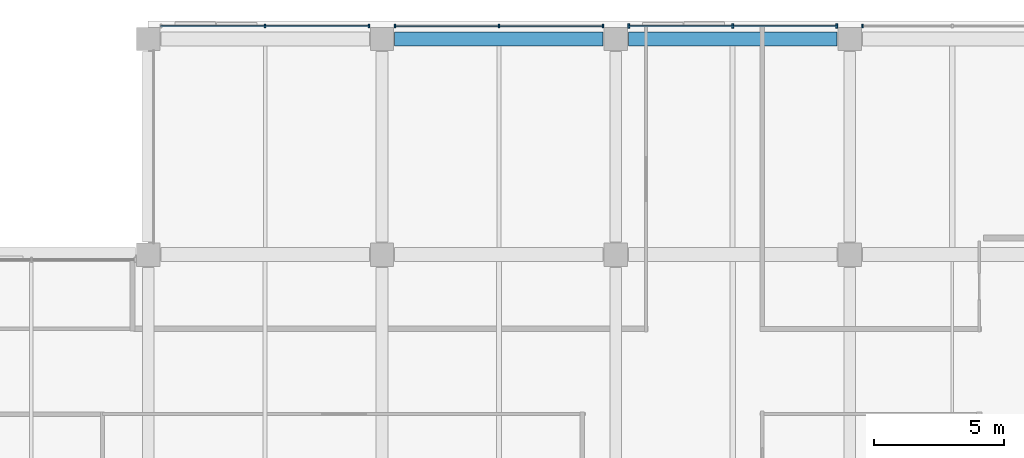
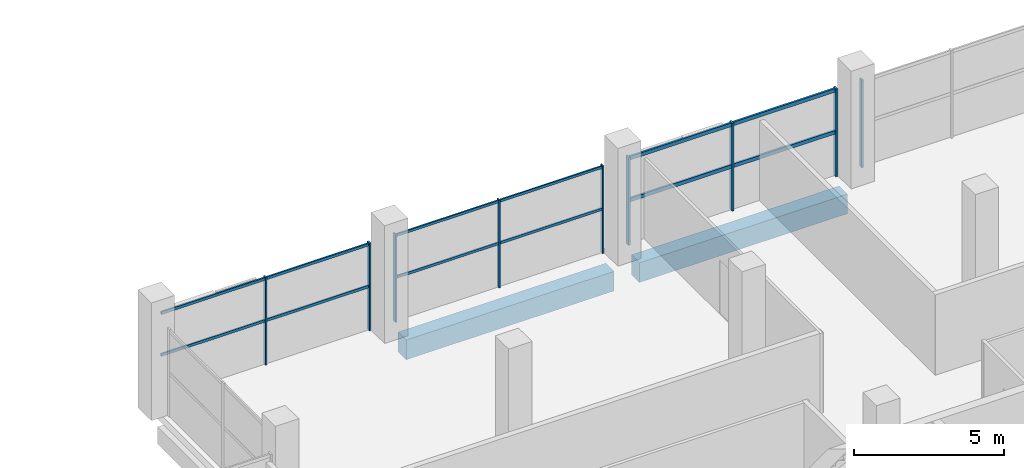
# One storey, part 40 of 100: 15 members, 2 beams, 4 elements without a shape of their own.
"""IFC4 building model written with IfcOpenShell, lengths in metres."""

from ifc_helpers import new_model, si_unit, direction, frame, origin, origin_2d, place, context, subcontext, project, spatial, rectangle, extrude, material, material_profile, profile_set, type_object, element, aggregate, save


model = new_model("IFC4")

# Units and contexts
model_context = context("Model", 3, precision=1e-05, world=origin(), true_north=direction((0.0, 1.0)))
body_context = subcontext(model_context, "Body", "Model", "MODEL_VIEW")
ifc_project = project(units=[si_unit("LENGTHUNIT", "METRE"), si_unit("AREAUNIT", "SQUARE_METRE"), si_unit("VOLUMEUNIT", "CUBIC_METRE"), si_unit("PLANEANGLEUNIT", "RADIAN"), si_unit("MASSUNIT", "GRAM", prefix="KILO"), si_unit("THERMODYNAMICTEMPERATUREUNIT", "KELVIN"), si_unit("POWERUNIT", "WATT")], contexts=[model_context])

# Site, building, storey
site_placement = place(None, origin())
site = spatial("IfcSite", under=ifc_project, at=site_placement, CompositionType="ELEMENT")
building_placement = place(site_placement, origin())
building = spatial("IfcBuilding", under=site, at=building_placement, Name="Sindhuravela Promenade Stadium", CompositionType="ELEMENT")
storey_placement = place(building_placement, frame((0.0, 0.0, 4.800048828125)))
storey = spatial("IfcBuildingStorey", under=building, at=storey_placement, Name="L01", CompositionType="ELEMENT", Elevation=4.800048828125)

# Curtain wall, members
ifc_material_1 = material(Name="Anodised architectural aluminium 6063-T6", Category="aluminium")
curtain_wall_type_1 = type_object("IfcCurtainWallType", Name="CW-MOD-7", PredefinedType="NOTDEFINED", material=ifc_material_1)
curtain_wall_1_placement = place(storey_placement, origin())
curtain_wall_1 = element("IfcCurtainWall", 1, at=curtain_wall_1_placement, inside=storey, type_object=curtain_wall_type_1, Name="Bronze curtain wall CW-NORTH-L01-150", PredefinedType="NOTDEFINED")
ifc_material_profile_1 = material_profile(ifc_material_1, rectangle(XDim=0.074951171875, YDim=0.175048828125, at=origin_2d()), Name="ALU MULL 75x175")
ifc_profile_set_1 = profile_set([ifc_material_profile_1], Name="Anodised architectural aluminium 6063-T6")
member_type_1 = type_object("IfcMemberType", Name="CW-MUL-1", PredefinedType="MULLION", material=ifc_profile_set_1)
member_1_placement = place(storey_placement, frame((144.5, 161.800048828125, 0.0), z_axis=(0.0, 0.0, 1.0), x_axis=(1.0, 0.0, 0.0)))
member_1 = element("IfcMember", 2, at=member_1_placement, type_object=member_type_1, Name="Curtain wall mullion CW-NORTH-L01-150-M1", PredefinedType="MULLION", context=body_context, shape_type="SweptSolid", body=[
    extrude(rectangle(XDim=0.074951171875, YDim=0.175048828125, at=origin_2d()), origin(), (0.0, 0.0, 1.0), 3.579833984375),
])
member_2_placement = place(storey_placement, frame((148.5, 161.800048828125, 0.0), z_axis=(0.0, 0.0, 1.0), x_axis=(1.0, 0.0, 0.0)))
member_2 = element("IfcMember", 3, at=member_2_placement, type_object=member_type_1, Name="Curtain wall mullion CW-NORTH-L01-150-M2", PredefinedType="MULLION", context=body_context, shape_type="SweptSolid", body=[
    extrude(rectangle(XDim=0.074951171875, YDim=0.175048828125, at=origin_2d()), origin(), (0.0, 0.0, 1.0), 3.579833984375),
])
member_3_placement = place(storey_placement, frame((152.5, 161.800048828125, 0.0), z_axis=(0.0, 0.0, 1.0), x_axis=(1.0, 0.0, 0.0)))
member_3 = element("IfcMember", 4, at=member_3_placement, type_object=member_type_1, Name="Curtain wall mullion CW-NORTH-L01-150-M3", PredefinedType="MULLION", context=body_context, shape_type="SweptSolid", body=[
    extrude(rectangle(XDim=0.074951171875, YDim=0.175048828125, at=origin_2d()), origin(), (0.0, 0.0, 1.0), 3.579833984375),
])

# Curtain wall, member
curtain_wall_type_2 = type_object("IfcCurtainWallType", Name="CW-MOD-8", PredefinedType="NOTDEFINED", material=ifc_material_1)
curtain_wall_2_placement = place(storey_placement, origin())
curtain_wall_2 = element("IfcCurtainWall", 5, at=curtain_wall_2_placement, inside=storey, type_object=curtain_wall_type_2, Name="Bronze curtain wall CW-NORTH-L01-151", PredefinedType="NOTDEFINED")
ifc_material_profile_2 = material_profile(ifc_material_1, rectangle(XDim=0.06494140625, YDim=0.14990234375, at=origin_2d()), Name="ALU MULL 65x150")
ifc_profile_set_2 = profile_set([ifc_material_profile_2], Name="Anodised architectural aluminium 6063-T6")
member_type_2 = type_object("IfcMemberType", Name="CW-MUL-2", PredefinedType="MULLION", material=ifc_profile_set_2)
member_4_placement = place(storey_placement, frame((153.5, 161.800048828125, 0.0), z_axis=(0.0, 0.0, 1.0), x_axis=(1.0, 0.0, 0.0)))
member_4 = element("IfcMember", 6, at=member_4_placement, type_object=member_type_2, Name="Curtain wall mullion CW-NORTH-L01-151-M1", PredefinedType="MULLION", context=body_context, shape_type="SweptSolid", body=[
    extrude(rectangle(XDim=0.06494140625, YDim=0.14990234375, at=origin_2d()), origin(), (0.0, 0.0, 1.0), 3.579833984375),
])
aggregate(curtain_wall_2, [member_4])

# Curtain wall, members
curtain_wall_type_3 = type_object("IfcCurtainWallType", Name="CW-MOD-5", PredefinedType="NOTDEFINED", material=ifc_material_1)
curtain_wall_3_placement = place(storey_placement, origin())
curtain_wall_3 = element("IfcCurtainWall", 7, at=curtain_wall_3_placement, inside=storey, type_object=curtain_wall_type_3, Name="Bronze curtain wall CW-NORTH-L01-148", PredefinedType="NOTDEFINED")
ifc_material_profile_3 = material_profile(ifc_material_1, rectangle(XDim=0.06005859375, YDim=0.139892578125, at=origin_2d()), Name="ALU M60x140")
ifc_profile_set_3 = profile_set([ifc_material_profile_3], Name="Anodised architectural aluminium 6063-T6")
member_type_3 = type_object("IfcMemberType", Name="CW-MUL-5", PredefinedType="MULLION", material=ifc_profile_set_3)
member_5_placement = place(storey_placement, frame((130.5, 161.800048828125, 0.0), z_axis=(0.0, 0.0, 1.0), x_axis=(1.0, 0.0, 0.0)))
member_5 = element("IfcMember", 8, at=member_5_placement, type_object=member_type_3, Name="Curtain wall mullion CW-NORTH-L01-148-M2", PredefinedType="MULLION", context=body_context, shape_type="SweptSolid", body=[
    extrude(rectangle(XDim=0.06005859375, YDim=0.139892578125, at=origin_2d()), origin(), (0.0, 0.0, 1.0), 3.579833984375),
])
member_6_placement = place(storey_placement, frame((134.5, 161.800048828125, 0.0), z_axis=(0.0, 0.0, 1.0), x_axis=(1.0, 0.0, 0.0)))
member_6 = element("IfcMember", 9, at=member_6_placement, type_object=member_type_3, Name="Curtain wall mullion CW-NORTH-L01-148-M3", PredefinedType="MULLION", context=body_context, shape_type="SweptSolid", body=[
    extrude(rectangle(XDim=0.06005859375, YDim=0.139892578125, at=origin_2d()), origin(), (0.0, 0.0, 1.0), 3.579833984375),
])

curtain_wall_type_4 = type_object("IfcCurtainWallType", Name="CW-MOD-6", PredefinedType="NOTDEFINED", material=ifc_material_1)
curtain_wall_4_placement = place(storey_placement, origin())
curtain_wall_4 = element("IfcCurtainWall", 10, at=curtain_wall_4_placement, inside=storey, type_object=curtain_wall_type_4, Name="Bronze curtain wall CW-NORTH-L01-149", PredefinedType="NOTDEFINED")
ifc_material_profile_4 = material_profile(ifc_material_1, rectangle(XDim=0.054931640625, YDim=0.14990234375, at=origin_2d()), Name="ALU M55x150")
ifc_profile_set_4 = profile_set([ifc_material_profile_4], Name="Anodised architectural aluminium 6063-T6")
member_type_4 = type_object("IfcMemberType", Name="CW-MUL-6", PredefinedType="MULLION", material=ifc_profile_set_4)
member_7_placement = place(storey_placement, frame((135.5, 161.800048828125, 0.0), z_axis=(0.0, 0.0, 1.0), x_axis=(1.0, 0.0, 0.0)))
member_7 = element("IfcMember", 11, at=member_7_placement, type_object=member_type_4, Name="Curtain wall mullion CW-NORTH-L01-149-M1", PredefinedType="MULLION", context=body_context, shape_type="SweptSolid", body=[
    extrude(rectangle(XDim=0.054931640625, YDim=0.14990234375, at=origin_2d()), origin(), (0.0, 0.0, 1.0), 3.579833984375),
])
member_8_placement = place(storey_placement, frame((139.5, 161.800048828125, 0.0), z_axis=(0.0, 0.0, 1.0), x_axis=(1.0, 0.0, 0.0)))
member_8 = element("IfcMember", 12, at=member_8_placement, type_object=member_type_4, Name="Curtain wall mullion CW-NORTH-L01-149-M2", PredefinedType="MULLION", context=body_context, shape_type="SweptSolid", body=[
    extrude(rectangle(XDim=0.054931640625, YDim=0.14990234375, at=origin_2d()), origin(), (0.0, 0.0, 1.0), 3.579833984375),
])
member_9_placement = place(storey_placement, frame((143.5, 161.800048828125, 0.0), z_axis=(0.0, 0.0, 1.0), x_axis=(1.0, 0.0, 0.0)))
member_9 = element("IfcMember", 13, at=member_9_placement, type_object=member_type_4, Name="Curtain wall mullion CW-NORTH-L01-149-M3", PredefinedType="MULLION", context=body_context, shape_type="SweptSolid", body=[
    extrude(rectangle(XDim=0.054931640625, YDim=0.14990234375, at=origin_2d()), origin(), (0.0, 0.0, 1.0), 3.579833984375),
])

# Member
ifc_material_profile_5 = material_profile(ifc_material_1, rectangle(XDim=0.074951171875, YDim=0.14990234375, at=origin_2d()), Name="ALU TRAN 75x150")
ifc_profile_set_5 = profile_set([ifc_material_profile_5], Name="Anodised architectural aluminium 6063-T6")
member_type_5 = type_object("IfcMemberType", Name="CW-TRN-1", PredefinedType="USERDEFINED", material=ifc_profile_set_5)
member_10_placement = place(storey_placement, frame((144.47509765625, 161.800048828125, 1.7900390625), z_axis=(1.0, 0.0, 0.0), x_axis=(0.0, 1.0, 0.0)))
member_10 = element("IfcMember", 14, at=member_10_placement, type_object=member_type_5, Name="Curtain wall transom CW-NORTH-L01-150-T1", ObjectType="TRANSOM", PredefinedType="USERDEFINED", context=body_context, shape_type="SweptSolid", body=[
    extrude(rectangle(XDim=0.074951171875, YDim=0.14990234375, at=origin_2d()), origin(), (0.0, 0.0, 1.0), 8.0498046875),
])

member_11_placement = place(storey_placement, frame((144.47509765625, 161.800048828125, 3.5), z_axis=(1.0, 0.0, 0.0), x_axis=(0.0, 1.0, 0.0)))
member_11 = element("IfcMember", 15, at=member_11_placement, type_object=member_type_5, Name="Curtain wall transom CW-NORTH-L01-150-T2", ObjectType="TRANSOM", PredefinedType="USERDEFINED", context=body_context, shape_type="SweptSolid", body=[
    extrude(rectangle(XDim=0.074951171875, YDim=0.14990234375, at=origin_2d()), origin(), (0.0, 0.0, 1.0), 8.0498046875),
])

aggregate(curtain_wall_1, [member_1, member_2, member_3, member_10, member_11])

ifc_material_profile_6 = material_profile(ifc_material_1, rectangle(XDim=0.06005859375, YDim=0.110107421875, at=origin_2d()), Name="ALU T60x110")
ifc_profile_set_6 = profile_set([ifc_material_profile_6], Name="Anodised architectural aluminium 6063-T6")
member_type_6 = type_object("IfcMemberType", Name="CW-TRN-5", PredefinedType="USERDEFINED", material=ifc_profile_set_6)
member_12_placement = place(storey_placement, frame((126.47509765625, 161.800048828125, 1.7900390625), z_axis=(1.0, 0.0, 0.0), x_axis=(0.0, 1.0, 0.0)))
member_12 = element("IfcMember", 16, at=member_12_placement, type_object=member_type_6, Name="Curtain wall transom CW-NORTH-L01-148-T1", ObjectType="TRANSOM", PredefinedType="USERDEFINED", context=body_context, shape_type="SweptSolid", body=[
    extrude(rectangle(XDim=0.06005859375, YDim=0.110107421875, at=origin_2d()), origin(), (0.0, 0.0, 1.0), 8.0498046875),
])

member_13_placement = place(storey_placement, frame((126.47509765625, 161.800048828125, 3.5), z_axis=(1.0, 0.0, 0.0), x_axis=(0.0, 1.0, 0.0)))
member_13 = element("IfcMember", 17, at=member_13_placement, type_object=member_type_6, Name="Curtain wall transom CW-NORTH-L01-148-T2", ObjectType="TRANSOM", PredefinedType="USERDEFINED", context=body_context, shape_type="SweptSolid", body=[
    extrude(rectangle(XDim=0.06005859375, YDim=0.110107421875, at=origin_2d()), origin(), (0.0, 0.0, 1.0), 8.0498046875),
])

aggregate(curtain_wall_3, [member_5, member_6, member_12, member_13])

ifc_material_profile_7 = material_profile(ifc_material_1, rectangle(XDim=0.054931640625, YDim=0.10498046875, at=origin_2d()), Name="ALU T55x105")
ifc_profile_set_7 = profile_set([ifc_material_profile_7], Name="Anodised architectural aluminium 6063-T6")
member_type_7 = type_object("IfcMemberType", Name="CW-TRN-6", PredefinedType="USERDEFINED", material=ifc_profile_set_7)
member_14_placement = place(storey_placement, frame((135.47509765625, 161.800048828125, 1.7900390625), z_axis=(1.0, 0.0, 0.0), x_axis=(0.0, 1.0, 0.0)))
member_14 = element("IfcMember", 18, at=member_14_placement, type_object=member_type_7, Name="Curtain wall transom CW-NORTH-L01-149-T1", ObjectType="TRANSOM", PredefinedType="USERDEFINED", context=body_context, shape_type="SweptSolid", body=[
    extrude(rectangle(XDim=0.054931640625, YDim=0.10498046875, at=origin_2d()), origin(), (0.0, 0.0, 1.0), 8.0498046875),
])

member_15_placement = place(storey_placement, frame((135.47509765625, 161.800048828125, 3.5), z_axis=(1.0, 0.0, 0.0), x_axis=(0.0, 1.0, 0.0)))
member_15 = element("IfcMember", 19, at=member_15_placement, type_object=member_type_7, Name="Curtain wall transom CW-NORTH-L01-149-T2", ObjectType="TRANSOM", PredefinedType="USERDEFINED", context=body_context, shape_type="SweptSolid", body=[
    extrude(rectangle(XDim=0.054931640625, YDim=0.10498046875, at=origin_2d()), origin(), (0.0, 0.0, 1.0), 8.0498046875),
])

aggregate(curtain_wall_4, [member_7, member_8, member_9, member_14, member_15])

# Beams
ifc_material_2 = material(Name="Concrete M40", Category="concrete")
ifc_material_profile_8 = material_profile(ifc_material_2, rectangle(XDim=0.550048828125, YDim=0.800048828125, at=origin_2d()), Name="RC 550x800")
ifc_profile_set_8 = profile_set([ifc_material_profile_8], Name="Concrete M40")
beam_type = type_object("IfcBeamType", Name="RC-BM-550x800", PredefinedType="BEAM", material=ifc_profile_set_8)
for number, where, z_axis, x_axis, name in (
    (20, (135.489990234375, 161.300048828125, -0.699951171875), (1.0, 0.0, 0.0), (0.0, 1.0, 0.0), "Primary girder GB05 NORTH L01"),
    (21, (144.489990234375, 161.300048828125, -0.699951171875), (1.0, 0.0, 0.0), (0.0, 1.0, 0.0), "Primary girder GB05 NORTH L01"),
):
    element("IfcBeam", number, at=place(storey_placement, frame(where, z_axis=z_axis, x_axis=x_axis)), inside=storey, type_object=beam_type, Name=name, PredefinedType="BEAM", context=body_context, shape_type="SweptSolid", body=[
        extrude(rectangle(XDim=0.550048828125, YDim=0.800048828125, at=origin_2d()), origin(), (0.0, 0.0, 1.0), 8.02001953125),
    ])

save(model, "model.ifc")
